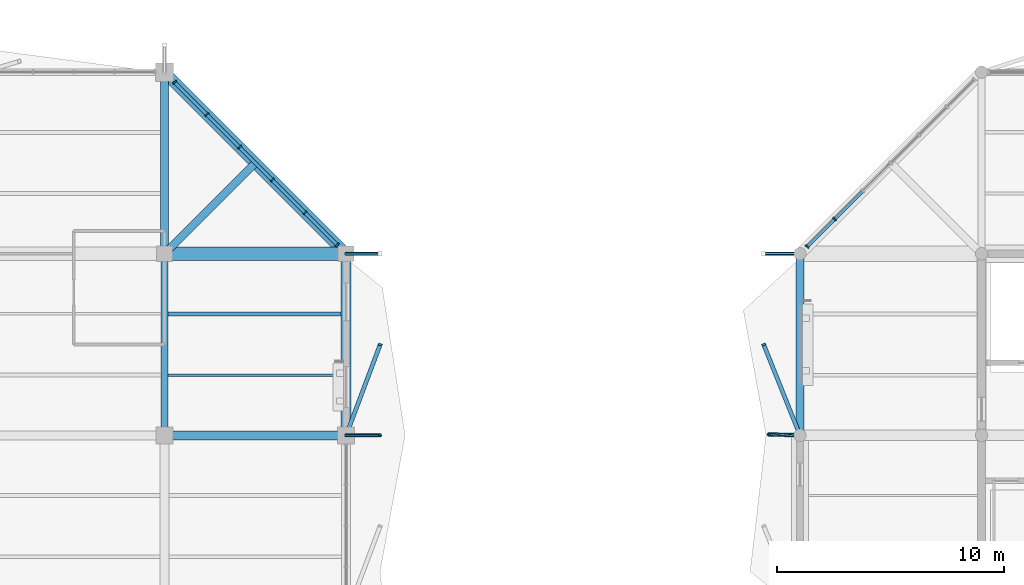
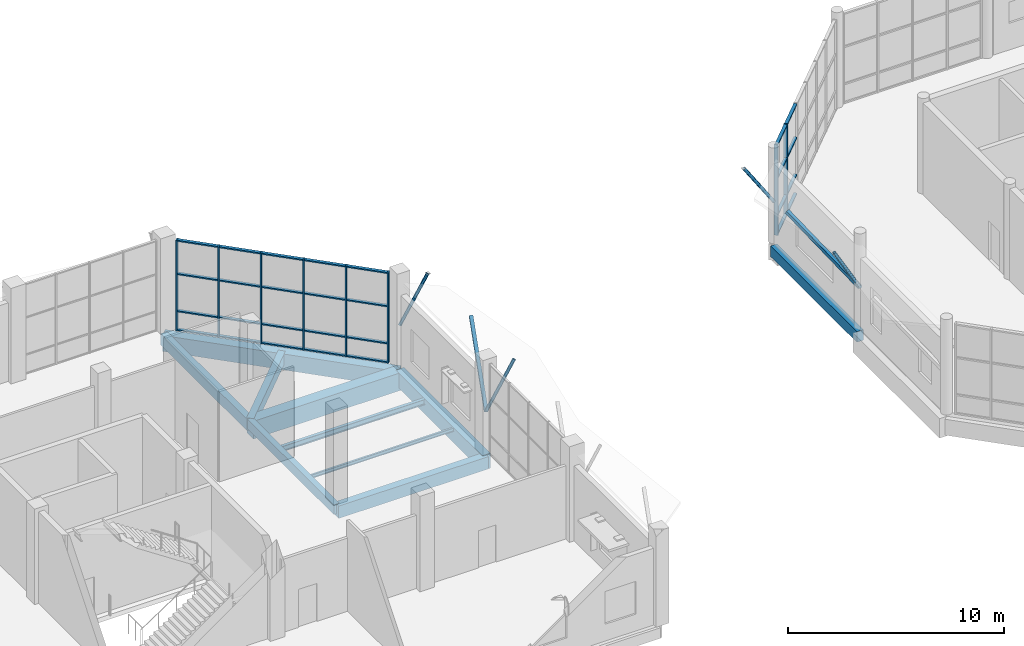
# One storey, part 46 of 122: 42 members, 10 beams, 2 elements without a shape of their own.
"""IFC4 building model written with IfcOpenShell, lengths in metres."""

from ifc_helpers import new_model, si_unit, direction, frame, origin, origin_2d, place, context, subcontext, project, spatial, rectangle, hollow_rectangle, hollow_circle, i_section, extrude, material, material_profile, profile_set, type_object, element, aggregate, save


model = new_model("IFC4")

# Units and contexts
model_context = context("Model", 3, precision=1e-05, world=origin(), true_north=direction((0.0, 1.0)))
body_context = subcontext(model_context, "Body", "Model", "MODEL_VIEW")
ifc_project = project(units=[si_unit("LENGTHUNIT", "METRE"), si_unit("AREAUNIT", "SQUARE_METRE"), si_unit("VOLUMEUNIT", "CUBIC_METRE"), si_unit("PLANEANGLEUNIT", "RADIAN"), si_unit("MASSUNIT", "GRAM", prefix="KILO")], contexts=[model_context])

# Site, building, storey
site_placement = place(None, origin())
site = spatial("IfcSite", under=ifc_project, at=site_placement, CompositionType="ELEMENT")
building_placement = place(site_placement, origin())
building = spatial("IfcBuilding", under=site, at=building_placement, Name="Tenunan Teduh Sports Hall", CompositionType="ELEMENT")
storey_placement = place(building_placement, frame((0.0, 0.0, 5.39990234375)))
storey = spatial("IfcBuildingStorey", under=building, at=storey_placement, Name="L01", CompositionType="ELEMENT", Elevation=5.39990234375)

# Beams
ifc_material_1 = material(Name="Concrete C40/50", Category="concrete")
ifc_material_profile_1 = material_profile(ifc_material_1, rectangle(XDim=0.300048828125, YDim=0.550048828125, at=origin_2d()), Name="RCB 300x550")
ifc_profile_set_1 = profile_set([ifc_material_profile_1], Name="Concrete C40/50")
beam_type_1 = type_object("IfcBeamType", Name="BM-RC-300x550", PredefinedType="BEAM", material=ifc_profile_set_1)
beam_1_placement = place(storey_placement, frame((70.0, 102.0, -0.534912109375), z_axis=(0.0, 1.0, 0.0), x_axis=(-1.0, 0.0, 0.0)))
element("IfcBeam", 1, at=beam_1_placement, inside=storey, type_object=beam_type_1, Name="BM-B-02-L01-1237", PredefinedType="BEAM", context=body_context, shape_type="SweptSolid", body=[
    extrude(rectangle(XDim=0.300048828125, YDim=0.550048828125, at=origin_2d()), origin(), (0.0, 0.0, 1.0), 8.0),
])
ifc_material_2 = material(Name="Concrete C40/50", Category="concrete")
ifc_material_profile_2 = material_profile(ifc_material_2, rectangle(XDim=0.35009765625, YDim=0.60009765625, at=origin_2d()), Name="RCB 350x600")
ifc_profile_set_2 = profile_set([ifc_material_profile_2], Name="Concrete C40/50")
beam_type_2 = type_object("IfcBeamType", Name="BM-RC-350x600", PredefinedType="BEAM", material=ifc_profile_set_2)
beam_2_placement = place(storey_placement, frame((98.0, 102.0, -0.559814453125), z_axis=(0.0, 1.0, 0.0), x_axis=(-1.0, 0.0, 0.0)))
element("IfcBeam", 2, at=beam_2_placement, inside=storey, type_object=beam_type_2, Name="BM-B-04-L01-1251", PredefinedType="BEAM", context=body_context, shape_type="SweptSolid", body=[
    extrude(rectangle(XDim=0.35009765625, YDim=0.60009765625, at=origin_2d()), origin(), (0.0, 0.0, 1.0), 8.0),
])
beam_3_placement = place(storey_placement, frame((70.0, 110.0, -0.559814453125), z_axis=(0.707106781187, 0.707106781187, 0.0), x_axis=(-0.707106781187, 0.707106781187, 0.0)))
element("IfcBeam", 3, at=beam_3_placement, inside=storey, type_object=beam_type_2, Name="BM-B-04-L01-2229", PredefinedType="BEAM", context=body_context, shape_type="SweptSolid", body=[
    extrude(rectangle(XDim=0.35009765625, YDim=0.60009765625, at=origin_2d()), origin(), (0.0, 0.0, 1.0), 5.65673828125),
])
ifc_material_3 = material(Name="Concrete C40/50", Category="concrete")
ifc_material_profile_3 = material_profile(ifc_material_3, rectangle(XDim=0.35009765625, YDim=0.64990234375, at=origin_2d()), Name="RCB 350x650")
ifc_profile_set_3 = profile_set([ifc_material_profile_3], Name="Concrete C40/50")
beam_type_3 = type_object("IfcBeamType", Name="BM-RC-350x650", PredefinedType="BEAM", material=ifc_profile_set_3)
beam_4_placement = place(storey_placement, frame((70.0, 110.0, -0.5849609375), z_axis=(0.0, 1.0, 0.0), x_axis=(-1.0, 0.0, 0.0)))
element("IfcBeam", 4, at=beam_4_placement, inside=storey, type_object=beam_type_3, Name="BM-B-05-L01-1238", PredefinedType="BEAM", context=body_context, shape_type="SweptSolid", body=[
    extrude(rectangle(XDim=0.35009765625, YDim=0.64990234375, at=origin_2d()), origin(), (0.0, 0.0, 1.0), 8.0),
])
ifc_material_4 = material(Name="Concrete C40/50", Category="concrete")
ifc_material_profile_4 = material_profile(ifc_material_4, rectangle(XDim=0.39990234375, YDim=0.699951171875, at=origin_2d()), Name="RCB 400x700")
ifc_profile_set_4 = profile_set([ifc_material_profile_4], Name="Concrete C40/50")
beam_type_4 = type_object("IfcBeamType", Name="BM-RC-400x700", PredefinedType="BEAM", material=ifc_profile_set_4)
beam_5_placement = place(storey_placement, frame((70.0, 102.0, -0.60986328125), z_axis=(1.0, 0.0, 0.0), x_axis=(0.0, 1.0, 0.0)))
element("IfcBeam", 5, at=beam_5_placement, inside=storey, type_object=beam_type_4, Name="BM-B-08-L01-1146", PredefinedType="BEAM", context=body_context, shape_type="SweptSolid", body=[
    extrude(rectangle(XDim=0.39990234375, YDim=0.699951171875, at=origin_2d()), origin(), (0.0, 0.0, 1.0), 8.0),
])
ifc_material_5 = material(Name="Concrete C40/50", Category="concrete")
ifc_material_profile_5 = material_profile(ifc_material_5, rectangle(XDim=0.449951171875, YDim=0.85009765625, at=origin_2d()), Name="RCB 450x850")
ifc_profile_set_5 = profile_set([ifc_material_profile_5], Name="Concrete C40/50")
beam_type_5 = type_object("IfcBeamType", Name="BM-RC-450x850", PredefinedType="BEAM", material=ifc_profile_set_5)
beam_6_placement = place(storey_placement, frame((78.0, 102.0, -0.684814453125), z_axis=(0.0, 1.0, 0.0), x_axis=(-1.0, 0.0, 0.0)))
element("IfcBeam", 6, at=beam_6_placement, inside=storey, type_object=beam_type_5, Name="BM-B-13-L01-1245", PredefinedType="BEAM", context=body_context, shape_type="SweptSolid", body=[
    extrude(rectangle(XDim=0.449951171875, YDim=0.85009765625, at=origin_2d()), origin(), (0.0, 0.0, 1.0), 8.0),
])
ifc_material_6 = material(Name="Concrete C40/50", Category="concrete")
ifc_material_profile_6 = material_profile(ifc_material_6, rectangle(XDim=0.5, YDim=0.89990234375, at=origin_2d()), Name="RCB 500x900")
ifc_profile_set_6 = profile_set([ifc_material_profile_6], Name="Concrete C40/50")
beam_type_6 = type_object("IfcBeamType", Name="BM-RC-500x900", PredefinedType="BEAM", material=ifc_profile_set_6)
beam_7_placement = place(storey_placement, frame((70.0, 118.0, -0.7099609375), z_axis=(0.707106781187, -0.707106781187, 0.0), x_axis=(0.707106781187, 0.707106781187, 0.0)))
element("IfcBeam", 7, at=beam_7_placement, inside=storey, type_object=beam_type_6, Name="BM-B-15-L01-0594", PredefinedType="BEAM", context=body_context, shape_type="SweptSolid", body=[
    extrude(rectangle(XDim=0.5, YDim=0.89990234375, at=origin_2d()), origin(), (0.0, 0.0, 1.0), 11.313720703125),
])
ifc_material_7 = material(Name="Concrete C40/50", Category="concrete")
ifc_material_profile_7 = material_profile(ifc_material_7, rectangle(XDim=0.60009765625, YDim=1.0, at=origin_2d()), Name="RCB 600x1000")
ifc_profile_set_7 = profile_set([ifc_material_profile_7], Name="Concrete C40/50")
beam_type_7 = type_object("IfcBeamType", Name="BM-RC-600x1000", PredefinedType="BEAM", material=ifc_profile_set_7)
beam_8_placement = place(storey_placement, frame((70.0, 110.0, -0.760009765625), z_axis=(1.0, 0.0, 0.0), x_axis=(0.0, 1.0, 0.0)))
element("IfcBeam", 8, at=beam_8_placement, inside=storey, type_object=beam_type_7, Name="BM-B-18-L01-1163", PredefinedType="BEAM", context=body_context, shape_type="SweptSolid", body=[
    extrude(rectangle(XDim=0.60009765625, YDim=1.0, at=origin_2d()), origin(), (0.0, 0.0, 1.0), 8.0),
])

# Curtain wall, members
ifc_material_8 = material(Name="Anodised aluminium", Category="aluminium")
curtain_wall_type = type_object("IfcCurtainWallType", Name="CW-UNIT-1", PredefinedType="NOTDEFINED", material=ifc_material_8)
curtain_wall_1_placement = place(storey_placement, origin())
curtain_wall_1 = element("IfcCurtainWall", 9, at=curtain_wall_1_placement, inside=storey, type_object=curtain_wall_type, Name="CW-CWM-200-L01-204", PredefinedType="NOTDEFINED")
ifc_material_9 = material(Name="Anodised aluminium", Category="aluminium")
ifc_material_profile_8 = material_profile(ifc_material_9, rectangle(XDim=0.070068359375, YDim=0.199951171875, at=origin_2d()), Name="CWM 70x200")
ifc_profile_set_8 = profile_set([ifc_material_profile_8], Name="Anodised aluminium")
member_type_1 = type_object("IfcMemberType", Name="CWM-200", PredefinedType="MULLION", material=ifc_profile_set_8)
member_1_placement = place(storey_placement, frame((77.607666015625, 110.392333984375, 0.0), z_axis=(0.0, 0.0, 1.0), x_axis=(-0.707106781187, 0.707106781187, 0.0)))
member_1 = element("IfcMember", 10, at=member_1_placement, type_object=member_type_1, Name="CW-01 mullion 1", PredefinedType="MULLION", context=body_context, shape_type="SweptSolid", body=[
    extrude(rectangle(XDim=0.070068359375, YDim=0.199951171875, at=origin_2d()), origin(), (0.0, 0.0, 1.0), 5.1201171875),
])
member_2_placement = place(storey_placement, frame((76.18994140625, 111.81005859375, 0.0), z_axis=(0.0, 0.0, 1.0), x_axis=(-0.707106781187, 0.707106781187, 0.0)))
member_2 = element("IfcMember", 11, at=member_2_placement, type_object=member_type_1, Name="CW-01 mullion 2", PredefinedType="MULLION", context=body_context, shape_type="SweptSolid", body=[
    extrude(rectangle(XDim=0.070068359375, YDim=0.199951171875, at=origin_2d()), origin(), (0.0, 0.0, 1.0), 5.1201171875),
])
member_3_placement = place(storey_placement, frame((74.74755859375, 113.25244140625, 0.0), z_axis=(0.0, 0.0, 1.0), x_axis=(-0.707106781187, 0.707106781187, 0.0)))
member_3 = element("IfcMember", 12, at=member_3_placement, type_object=member_type_1, Name="CW-01 mullion 3", PredefinedType="MULLION", context=body_context, shape_type="SweptSolid", body=[
    extrude(rectangle(XDim=0.070068359375, YDim=0.199951171875, at=origin_2d()), origin(), (0.0, 0.0, 1.0), 5.1201171875),
])
member_4_placement = place(storey_placement, frame((73.304931640625, 114.695068359375, 0.0), z_axis=(0.0, 0.0, 1.0), x_axis=(-0.707106781187, 0.707106781187, 0.0)))
member_4 = element("IfcMember", 13, at=member_4_placement, type_object=member_type_1, Name="CW-01 mullion 4", PredefinedType="MULLION", context=body_context, shape_type="SweptSolid", body=[
    extrude(rectangle(XDim=0.070068359375, YDim=0.199951171875, at=origin_2d()), origin(), (0.0, 0.0, 1.0), 5.1201171875),
])
member_5_placement = place(storey_placement, frame((71.862548828125, 116.137451171875, 0.0), z_axis=(0.0, 0.0, 1.0), x_axis=(-0.707106781187, 0.707106781187, 0.0)))
member_5 = element("IfcMember", 14, at=member_5_placement, type_object=member_type_1, Name="CW-01 mullion 5", PredefinedType="MULLION", context=body_context, shape_type="SweptSolid", body=[
    extrude(rectangle(XDim=0.070068359375, YDim=0.199951171875, at=origin_2d()), origin(), (0.0, 0.0, 1.0), 5.1201171875),
])
member_6_placement = place(storey_placement, frame((70.44482421875, 117.55517578125, 0.0), z_axis=(0.0, 0.0, 1.0), x_axis=(-0.707106781187, 0.707106781187, 0.0)))
member_6 = element("IfcMember", 15, at=member_6_placement, type_object=member_type_1, Name="CW-01 mullion 6", PredefinedType="MULLION", context=body_context, shape_type="SweptSolid", body=[
    extrude(rectangle(XDim=0.070068359375, YDim=0.199951171875, at=origin_2d()), origin(), (0.0, 0.0, 1.0), 5.1201171875),
])

curtain_wall_2_placement = place(storey_placement, origin())
curtain_wall_2 = element("IfcCurtainWall", 16, at=curtain_wall_2_placement, inside=storey, type_object=curtain_wall_type, Name="CW-CWM-200-L01-252", PredefinedType="NOTDEFINED")
member_7_placement = place(storey_placement, frame((98.3134765625, 110.3134765625, 0.0), z_axis=(0.0, 0.0, 1.0), x_axis=(0.707106781187, 0.707106781187, 0.0)))
member_7 = element("IfcMember", 17, at=member_7_placement, type_object=member_type_1, Name="CW-01 mullion 1", PredefinedType="MULLION", context=body_context, shape_type="SweptSolid", body=[
    extrude(rectangle(XDim=0.070068359375, YDim=0.199951171875, at=origin_2d()), origin(), (0.0, 0.0, 1.0), 5.1201171875),
])
member_8_placement = place(storey_placement, frame((99.52587890625, 111.52587890625, 0.0), z_axis=(0.0, 0.0, 1.0), x_axis=(0.707106781187, 0.707106781187, 0.0)))
member_8 = element("IfcMember", 18, at=member_8_placement, type_object=member_type_1, Name="CW-01 mullion 2", PredefinedType="MULLION", context=body_context, shape_type="SweptSolid", body=[
    extrude(rectangle(XDim=0.070068359375, YDim=0.199951171875, at=origin_2d()), origin(), (0.0, 0.0, 1.0), 5.1201171875),
])

# Member
ifc_material_10 = material(Name="Anodised aluminium", Category="aluminium")
ifc_material_profile_9 = material_profile(ifc_material_10, rectangle(XDim=0.070068359375, YDim=0.159912109375, at=origin_2d()), Name="CWT 70x160")
ifc_profile_set_9 = profile_set([ifc_material_profile_9], Name="Anodised aluminium")
member_type_2 = type_object("IfcMemberType", Name="CWT-200", PredefinedType="USERDEFINED", material=ifc_profile_set_9)
member_9_placement = place(storey_placement, frame((77.5830078125, 110.4169921875, 0.03515625), z_axis=(-0.707106781187, 0.707106781187, 0.0), x_axis=(0.0, 0.0, 1.0)))
member_9 = element("IfcMember", 19, at=member_9_placement, type_object=member_type_2, Name="CW-01 transom 1.1", ObjectType="TRANSOM", PredefinedType="USERDEFINED", context=body_context, shape_type="SweptSolid", body=[
    extrude(rectangle(XDim=0.070068359375, YDim=0.159912109375, at=origin_2d()), origin(), (0.0, 0.0, 1.0), 1.934814453125),
])

member_10_placement = place(storey_placement, frame((77.5830078125, 110.4169921875, 1.10009765625), z_axis=(-0.707106781187, 0.707106781187, 0.0), x_axis=(0.0, 0.0, 1.0)))
member_10 = element("IfcMember", 20, at=member_10_placement, type_object=member_type_2, Name="CW-01 transom 1.2", ObjectType="TRANSOM", PredefinedType="USERDEFINED", context=body_context, shape_type="SweptSolid", body=[
    extrude(rectangle(XDim=0.070068359375, YDim=0.159912109375, at=origin_2d()), origin(), (0.0, 0.0, 1.0), 1.934814453125),
])

member_11_placement = place(storey_placement, frame((77.5830078125, 110.4169921875, 3.2001953125), z_axis=(-0.707106781187, 0.707106781187, 0.0), x_axis=(0.0, 0.0, 1.0)))
member_11 = element("IfcMember", 21, at=member_11_placement, type_object=member_type_2, Name="CW-01 transom 1.3", ObjectType="TRANSOM", PredefinedType="USERDEFINED", context=body_context, shape_type="SweptSolid", body=[
    extrude(rectangle(XDim=0.070068359375, YDim=0.159912109375, at=origin_2d()), origin(), (0.0, 0.0, 1.0), 1.934814453125),
])

member_12_placement = place(storey_placement, frame((77.5830078125, 110.4169921875, 5.085205078125), z_axis=(-0.707106781187, 0.707106781187, 0.0), x_axis=(0.0, 0.0, 1.0)))
member_12 = element("IfcMember", 22, at=member_12_placement, type_object=member_type_2, Name="CW-01 transom 1.4", ObjectType="TRANSOM", PredefinedType="USERDEFINED", context=body_context, shape_type="SweptSolid", body=[
    extrude(rectangle(XDim=0.070068359375, YDim=0.159912109375, at=origin_2d()), origin(), (0.0, 0.0, 1.0), 1.934814453125),
])

member_13_placement = place(storey_placement, frame((76.165283203125, 111.834716796875, 0.03515625), z_axis=(-0.707106781187, 0.707106781187, 0.0), x_axis=(0.0, 0.0, 1.0)))
member_13 = element("IfcMember", 23, at=member_13_placement, type_object=member_type_2, Name="CW-01 transom 2.1", ObjectType="TRANSOM", PredefinedType="USERDEFINED", context=body_context, shape_type="SweptSolid", body=[
    extrude(rectangle(XDim=0.070068359375, YDim=0.159912109375, at=origin_2d()), origin(), (0.0, 0.0, 1.0), 1.97021484375),
])

member_14_placement = place(storey_placement, frame((76.165283203125, 111.834716796875, 1.10009765625), z_axis=(-0.707106781187, 0.707106781187, 0.0), x_axis=(0.0, 0.0, 1.0)))
member_14 = element("IfcMember", 24, at=member_14_placement, type_object=member_type_2, Name="CW-01 transom 2.2", ObjectType="TRANSOM", PredefinedType="USERDEFINED", context=body_context, shape_type="SweptSolid", body=[
    extrude(rectangle(XDim=0.070068359375, YDim=0.159912109375, at=origin_2d()), origin(), (0.0, 0.0, 1.0), 1.97021484375),
])

member_15_placement = place(storey_placement, frame((76.165283203125, 111.834716796875, 3.2001953125), z_axis=(-0.707106781187, 0.707106781187, 0.0), x_axis=(0.0, 0.0, 1.0)))
member_15 = element("IfcMember", 25, at=member_15_placement, type_object=member_type_2, Name="CW-01 transom 2.3", ObjectType="TRANSOM", PredefinedType="USERDEFINED", context=body_context, shape_type="SweptSolid", body=[
    extrude(rectangle(XDim=0.070068359375, YDim=0.159912109375, at=origin_2d()), origin(), (0.0, 0.0, 1.0), 1.97021484375),
])

member_16_placement = place(storey_placement, frame((76.165283203125, 111.834716796875, 5.085205078125), z_axis=(-0.707106781187, 0.707106781187, 0.0), x_axis=(0.0, 0.0, 1.0)))
member_16 = element("IfcMember", 26, at=member_16_placement, type_object=member_type_2, Name="CW-01 transom 2.4", ObjectType="TRANSOM", PredefinedType="USERDEFINED", context=body_context, shape_type="SweptSolid", body=[
    extrude(rectangle(XDim=0.070068359375, YDim=0.159912109375, at=origin_2d()), origin(), (0.0, 0.0, 1.0), 1.97021484375),
])

member_17_placement = place(storey_placement, frame((74.72265625, 113.27734375, 0.03515625), z_axis=(-0.707106781187, 0.707106781187, 0.0), x_axis=(0.0, 0.0, 1.0)))
member_17 = element("IfcMember", 27, at=member_17_placement, type_object=member_type_2, Name="CW-01 transom 3.1", ObjectType="TRANSOM", PredefinedType="USERDEFINED", context=body_context, shape_type="SweptSolid", body=[
    extrude(rectangle(XDim=0.070068359375, YDim=0.159912109375, at=origin_2d()), origin(), (0.0, 0.0, 1.0), 1.9697265625),
])

member_18_placement = place(storey_placement, frame((74.72265625, 113.27734375, 1.10009765625), z_axis=(-0.707106781187, 0.707106781187, 0.0), x_axis=(0.0, 0.0, 1.0)))
member_18 = element("IfcMember", 28, at=member_18_placement, type_object=member_type_2, Name="CW-01 transom 3.2", ObjectType="TRANSOM", PredefinedType="USERDEFINED", context=body_context, shape_type="SweptSolid", body=[
    extrude(rectangle(XDim=0.070068359375, YDim=0.159912109375, at=origin_2d()), origin(), (0.0, 0.0, 1.0), 1.9697265625),
])

member_19_placement = place(storey_placement, frame((74.72265625, 113.27734375, 3.2001953125), z_axis=(-0.707106781187, 0.707106781187, 0.0), x_axis=(0.0, 0.0, 1.0)))
member_19 = element("IfcMember", 29, at=member_19_placement, type_object=member_type_2, Name="CW-01 transom 3.3", ObjectType="TRANSOM", PredefinedType="USERDEFINED", context=body_context, shape_type="SweptSolid", body=[
    extrude(rectangle(XDim=0.070068359375, YDim=0.159912109375, at=origin_2d()), origin(), (0.0, 0.0, 1.0), 1.9697265625),
])

member_20_placement = place(storey_placement, frame((74.72265625, 113.27734375, 5.085205078125), z_axis=(-0.707106781187, 0.707106781187, 0.0), x_axis=(0.0, 0.0, 1.0)))
member_20 = element("IfcMember", 30, at=member_20_placement, type_object=member_type_2, Name="CW-01 transom 3.4", ObjectType="TRANSOM", PredefinedType="USERDEFINED", context=body_context, shape_type="SweptSolid", body=[
    extrude(rectangle(XDim=0.070068359375, YDim=0.159912109375, at=origin_2d()), origin(), (0.0, 0.0, 1.0), 1.9697265625),
])

member_21_placement = place(storey_placement, frame((73.2802734375, 114.7197265625, 0.03515625), z_axis=(-0.707106781187, 0.707106781187, 0.0), x_axis=(0.0, 0.0, 1.0)))
member_21 = element("IfcMember", 31, at=member_21_placement, type_object=member_type_2, Name="CW-01 transom 4.1", ObjectType="TRANSOM", PredefinedType="USERDEFINED", context=body_context, shape_type="SweptSolid", body=[
    extrude(rectangle(XDim=0.070068359375, YDim=0.159912109375, at=origin_2d()), origin(), (0.0, 0.0, 1.0), 1.97021484375),
])

member_22_placement = place(storey_placement, frame((73.2802734375, 114.7197265625, 1.10009765625), z_axis=(-0.707106781187, 0.707106781187, 0.0), x_axis=(0.0, 0.0, 1.0)))
member_22 = element("IfcMember", 32, at=member_22_placement, type_object=member_type_2, Name="CW-01 transom 4.2", ObjectType="TRANSOM", PredefinedType="USERDEFINED", context=body_context, shape_type="SweptSolid", body=[
    extrude(rectangle(XDim=0.070068359375, YDim=0.159912109375, at=origin_2d()), origin(), (0.0, 0.0, 1.0), 1.97021484375),
])

member_23_placement = place(storey_placement, frame((73.2802734375, 114.7197265625, 3.2001953125), z_axis=(-0.707106781187, 0.707106781187, 0.0), x_axis=(0.0, 0.0, 1.0)))
member_23 = element("IfcMember", 33, at=member_23_placement, type_object=member_type_2, Name="CW-01 transom 4.3", ObjectType="TRANSOM", PredefinedType="USERDEFINED", context=body_context, shape_type="SweptSolid", body=[
    extrude(rectangle(XDim=0.070068359375, YDim=0.159912109375, at=origin_2d()), origin(), (0.0, 0.0, 1.0), 1.97021484375),
])

member_24_placement = place(storey_placement, frame((73.2802734375, 114.7197265625, 5.085205078125), z_axis=(-0.707106781187, 0.707106781187, 0.0), x_axis=(0.0, 0.0, 1.0)))
member_24 = element("IfcMember", 34, at=member_24_placement, type_object=member_type_2, Name="CW-01 transom 4.4", ObjectType="TRANSOM", PredefinedType="USERDEFINED", context=body_context, shape_type="SweptSolid", body=[
    extrude(rectangle(XDim=0.070068359375, YDim=0.159912109375, at=origin_2d()), origin(), (0.0, 0.0, 1.0), 1.97021484375),
])

member_25_placement = place(storey_placement, frame((71.837646484375, 116.162353515625, 0.03515625), z_axis=(-0.707106781187, 0.707106781187, 0.0), x_axis=(0.0, 0.0, 1.0)))
member_25 = element("IfcMember", 35, at=member_25_placement, type_object=member_type_2, Name="CW-01 transom 5.1", ObjectType="TRANSOM", PredefinedType="USERDEFINED", context=body_context, shape_type="SweptSolid", body=[
    extrude(rectangle(XDim=0.070068359375, YDim=0.159912109375, at=origin_2d()), origin(), (0.0, 0.0, 1.0), 1.934814453125),
])

member_26_placement = place(storey_placement, frame((71.837646484375, 116.162353515625, 1.10009765625), z_axis=(-0.707106781187, 0.707106781187, 0.0), x_axis=(0.0, 0.0, 1.0)))
member_26 = element("IfcMember", 36, at=member_26_placement, type_object=member_type_2, Name="CW-01 transom 5.2", ObjectType="TRANSOM", PredefinedType="USERDEFINED", context=body_context, shape_type="SweptSolid", body=[
    extrude(rectangle(XDim=0.070068359375, YDim=0.159912109375, at=origin_2d()), origin(), (0.0, 0.0, 1.0), 1.934814453125),
])

member_27_placement = place(storey_placement, frame((71.837646484375, 116.162353515625, 3.2001953125), z_axis=(-0.707106781187, 0.707106781187, 0.0), x_axis=(0.0, 0.0, 1.0)))
member_27 = element("IfcMember", 37, at=member_27_placement, type_object=member_type_2, Name="CW-01 transom 5.3", ObjectType="TRANSOM", PredefinedType="USERDEFINED", context=body_context, shape_type="SweptSolid", body=[
    extrude(rectangle(XDim=0.070068359375, YDim=0.159912109375, at=origin_2d()), origin(), (0.0, 0.0, 1.0), 1.934814453125),
])

member_28_placement = place(storey_placement, frame((71.837646484375, 116.162353515625, 5.085205078125), z_axis=(-0.707106781187, 0.707106781187, 0.0), x_axis=(0.0, 0.0, 1.0)))
member_28 = element("IfcMember", 38, at=member_28_placement, type_object=member_type_2, Name="CW-01 transom 5.4", ObjectType="TRANSOM", PredefinedType="USERDEFINED", context=body_context, shape_type="SweptSolid", body=[
    extrude(rectangle(XDim=0.070068359375, YDim=0.159912109375, at=origin_2d()), origin(), (0.0, 0.0, 1.0), 1.934814453125),
])

aggregate(curtain_wall_1, [member_1, member_2, member_3, member_4, member_5, member_6, member_9, member_10, member_11, member_12, member_13, member_14, member_15, member_16, member_17, member_18, member_19, member_20, member_21, member_22, member_23, member_24, member_25, member_26, member_27, member_28])

member_29_placement = place(storey_placement, frame((98.338134765625, 110.338134765625, 0.03515625), z_axis=(0.707106781187, 0.707106781187, 0.0), x_axis=(0.0, 0.0, 1.0)))
member_29 = element("IfcMember", 39, at=member_29_placement, type_object=member_type_2, Name="CW-01 transom 1.1", ObjectType="TRANSOM", PredefinedType="USERDEFINED", context=body_context, shape_type="SweptSolid", body=[
    extrude(rectangle(XDim=0.070068359375, YDim=0.159912109375, at=origin_2d()), origin(), (0.0, 0.0, 1.0), 1.64453125),
])

member_30_placement = place(storey_placement, frame((98.338134765625, 110.338134765625, 1.10009765625), z_axis=(0.707106781187, 0.707106781187, 0.0), x_axis=(0.0, 0.0, 1.0)))
member_30 = element("IfcMember", 40, at=member_30_placement, type_object=member_type_2, Name="CW-01 transom 1.2", ObjectType="TRANSOM", PredefinedType="USERDEFINED", context=body_context, shape_type="SweptSolid", body=[
    extrude(rectangle(XDim=0.070068359375, YDim=0.159912109375, at=origin_2d()), origin(), (0.0, 0.0, 1.0), 1.64453125),
])

member_31_placement = place(storey_placement, frame((98.338134765625, 110.338134765625, 3.2001953125), z_axis=(0.707106781187, 0.707106781187, 0.0), x_axis=(0.0, 0.0, 1.0)))
member_31 = element("IfcMember", 41, at=member_31_placement, type_object=member_type_2, Name="CW-01 transom 1.3", ObjectType="TRANSOM", PredefinedType="USERDEFINED", context=body_context, shape_type="SweptSolid", body=[
    extrude(rectangle(XDim=0.070068359375, YDim=0.159912109375, at=origin_2d()), origin(), (0.0, 0.0, 1.0), 1.64453125),
])

member_32_placement = place(storey_placement, frame((98.338134765625, 110.338134765625, 5.085205078125), z_axis=(0.707106781187, 0.707106781187, 0.0), x_axis=(0.0, 0.0, 1.0)))
member_32 = element("IfcMember", 42, at=member_32_placement, type_object=member_type_2, Name="CW-01 transom 1.4", ObjectType="TRANSOM", PredefinedType="USERDEFINED", context=body_context, shape_type="SweptSolid", body=[
    extrude(rectangle(XDim=0.070068359375, YDim=0.159912109375, at=origin_2d()), origin(), (0.0, 0.0, 1.0), 1.64453125),
])

member_33_placement = place(storey_placement, frame((99.550537109375, 111.550537109375, 0.03515625), z_axis=(0.707106781187, 0.707106781187, 0.0), x_axis=(0.0, 0.0, 1.0)))
member_33 = element("IfcMember", 43, at=member_33_placement, type_object=member_type_2, Name="CW-01 transom 2.1", ObjectType="TRANSOM", PredefinedType="USERDEFINED", context=body_context, shape_type="SweptSolid", body=[
    extrude(rectangle(XDim=0.070068359375, YDim=0.159912109375, at=origin_2d()), origin(), (0.0, 0.0, 1.0), 1.679443359375),
])

member_34_placement = place(storey_placement, frame((99.550537109375, 111.550537109375, 1.10009765625), z_axis=(0.707106781187, 0.707106781187, 0.0), x_axis=(0.0, 0.0, 1.0)))
member_34 = element("IfcMember", 44, at=member_34_placement, type_object=member_type_2, Name="CW-01 transom 2.2", ObjectType="TRANSOM", PredefinedType="USERDEFINED", context=body_context, shape_type="SweptSolid", body=[
    extrude(rectangle(XDim=0.070068359375, YDim=0.159912109375, at=origin_2d()), origin(), (0.0, 0.0, 1.0), 1.679443359375),
])

member_35_placement = place(storey_placement, frame((99.550537109375, 111.550537109375, 3.2001953125), z_axis=(0.707106781187, 0.707106781187, 0.0), x_axis=(0.0, 0.0, 1.0)))
member_35 = element("IfcMember", 45, at=member_35_placement, type_object=member_type_2, Name="CW-01 transom 2.3", ObjectType="TRANSOM", PredefinedType="USERDEFINED", context=body_context, shape_type="SweptSolid", body=[
    extrude(rectangle(XDim=0.070068359375, YDim=0.159912109375, at=origin_2d()), origin(), (0.0, 0.0, 1.0), 1.679443359375),
])

member_36_placement = place(storey_placement, frame((99.550537109375, 111.550537109375, 5.085205078125), z_axis=(0.707106781187, 0.707106781187, 0.0), x_axis=(0.0, 0.0, 1.0)))
member_36 = element("IfcMember", 46, at=member_36_placement, type_object=member_type_2, Name="CW-01 transom 2.4", ObjectType="TRANSOM", PredefinedType="USERDEFINED", context=body_context, shape_type="SweptSolid", body=[
    extrude(rectangle(XDim=0.070068359375, YDim=0.159912109375, at=origin_2d()), origin(), (0.0, 0.0, 1.0), 1.679443359375),
])

aggregate(curtain_wall_2, [member_7, member_8, member_29, member_30, member_31, member_32, member_33, member_34, member_35, member_36])

# Beam
ifc_material_11 = material(Name="Steel S355", Category="steel")
ifc_material_profile_10 = material_profile(ifc_material_11, i_section(OverallWidth=0.10009765625, OverallDepth=0.199951171875, WebThickness=0.005615234375, FlangeThickness=0.008544921875, FilletRadius=0.011962890625, at=origin_2d()), Name="IPE 200")
ifc_profile_set_10 = profile_set([ifc_material_profile_10], Name="Steel S355")
beam_type_8 = type_object("IfcBeamType", Name="JST-IPE200", PredefinedType="JOIST", material=ifc_profile_set_10)
beam_9_placement = place(storey_placement, frame((70.14990234375, 104.64990234375, -0.35986328125), z_axis=(1.0, 0.0, 0.0), x_axis=(0.0, 1.0, 0.0)))
element("IfcBeam", 47, at=beam_9_placement, inside=storey, type_object=beam_type_8, Name="BM-J-01-L01-1380", PredefinedType="JOIST", context=body_context, shape_type="SweptSolid", body=[
    extrude(i_section(OverallWidth=0.10009765625, OverallDepth=0.199951171875, WebThickness=0.005615234375, FlangeThickness=0.008544921875, FilletRadius=0.011962890625, at=origin_2d()), origin(), (0.0, 0.0, 1.0), 7.625),
])

# Members
ifc_material_12 = material(Name="Steel S355", Category="steel")
ifc_material_profile_11 = material_profile(ifc_material_12, hollow_circle(Radius=0.084228515625, WallThickness=0.008056640625, at=origin_2d()), Name="CHS 168.3x8.0")
ifc_profile_set_11 = profile_set([ifc_material_profile_11], Name="Steel S355")
member_type_3 = type_object("IfcMemberType", Name="MEM-BR-CHS168", PredefinedType="BRACE", material=ifc_profile_set_11)
for number, where, z_axis, x_axis, name in (
    (48, (78.0, 102.0, 2.2001953125), (0.526850471667, 0.0, 0.849957987494), (0.0, 1.0, 0.0), "MEM-GD-04-L01-1209"),
    (49, (78.0, 110.0, 2.2001953125), (0.526850471667, 0.0, 0.849957987494), (0.0, 1.0, 0.0), "MEM-GD-04-L01-1211"),
):
    element("IfcMember", number, at=place(storey_placement, frame(where, z_axis=z_axis, x_axis=x_axis)), inside=storey, type_object=member_type_3, Name=name, PredefinedType="BRACE", context=body_context, shape_type="SweptSolid", body=[
        extrude(hollow_circle(Radius=0.084228515625, WallThickness=0.008056640625, at=origin_2d()), origin(), (0.0, 0.0, 1.0), 2.84716796875),
    ])
member_37_placement = place(storey_placement, frame((98.0, 102.0, 2.2001953125), z_axis=(-0.494034133264, 0.014734197477, 0.869317651147), x_axis=(-0.029810994673, -0.999555553532, 0.0)))
element("IfcMember", 50, at=member_37_placement, inside=storey, type_object=member_type_3, Name="MEM-GD-04-L01-1237", PredefinedType="BRACE", context=body_context, shape_type="SweptSolid", body=[
    extrude(hollow_circle(Radius=0.084228515625, WallThickness=0.008056640625, at=origin_2d()), origin(), (0.0, 0.0, 1.0), 2.78369140625),
])
member_38_placement = place(storey_placement, frame((98.0, 110.0, 2.2001953125), z_axis=(-0.551550138516, 0.0, 0.834141741374), x_axis=(0.0, -1.0, 0.0)))
element("IfcMember", 51, at=member_38_placement, inside=storey, type_object=member_type_3, Name="MEM-GD-04-L01-1239", PredefinedType="BRACE", context=body_context, shape_type="SweptSolid", body=[
    extrude(hollow_circle(Radius=0.084228515625, WallThickness=0.008056640625, at=origin_2d()), origin(), (0.0, 0.0, 1.0), 2.901123046875),
])
ifc_material_13 = material(Name="Steel S355", Category="steel")
ifc_material_profile_12 = material_profile(ifc_material_13, hollow_rectangle(XDim=0.179931640625, YDim=0.179931640625, WallThickness=0.010009765625, at=origin_2d()), Name="SHS 180x180x10.0")
ifc_profile_set_12 = profile_set([ifc_material_profile_12], Name="Steel S355")
member_type_4 = type_object("IfcMemberType", Name="MEM-ST-SHS180", PredefinedType="STRUT", material=ifc_profile_set_12)
member_39_placement = place(storey_placement, frame((78.0, 102.0, 2.2001953125), z_axis=(0.305512149532, 0.814699065418, 0.492877022487), x_axis=(-0.936329177569, 0.351123441588, 0.0)))
element("IfcMember", 52, at=member_39_placement, inside=storey, type_object=member_type_4, Name="MEM-VS-03-L01-1210", PredefinedType="STRUT", context=body_context, shape_type="SweptSolid", body=[
    extrude(hollow_rectangle(XDim=0.179931640625, YDim=0.179931640625, WallThickness=0.010009765625, at=origin_2d()), origin(), (0.0, 0.0, 1.0), 4.90966796875),
])
member_40_placement = place(storey_placement, frame((98.0, 102.0, 2.2001953125), z_axis=(-0.323821930097, 0.809505416952, 0.489734966603), x_axis=(-0.928468874232, -0.37141021739, 0.0)))
element("IfcMember", 53, at=member_40_placement, inside=storey, type_object=member_type_4, Name="MEM-VS-03-L01-1238", PredefinedType="STRUT", context=body_context, shape_type="SweptSolid", body=[
    extrude(hollow_rectangle(XDim=0.179931640625, YDim=0.179931640625, WallThickness=0.010009765625, at=origin_2d()), origin(), (0.0, 0.0, 1.0), 4.94140625),
])

# Beam
ifc_material_14 = material(Name="Steel S355", Category="steel")
ifc_material_profile_13 = material_profile(ifc_material_14, i_section(OverallWidth=0.1650390625, OverallDepth=0.303466796875, WebThickness=0.006103515625, FlangeThickness=0.01025390625, FilletRadius=0.0087890625, at=origin_2d()), Name="UKB 305x165x40")
ifc_profile_set_13 = profile_set([ifc_material_profile_13], Name="Steel S355")
beam_type_9 = type_object("IfcBeamType", Name="SBM-UKB305", PredefinedType="BEAM", material=ifc_profile_set_13)
beam_10_placement = place(storey_placement, frame((70.14990234375, 107.35009765625, -0.41162109375), z_axis=(1.0, 0.0, 0.0), x_axis=(0.0, 1.0, 0.0)))
element("IfcBeam", 54, at=beam_10_placement, inside=storey, type_object=beam_type_9, Name="BM-SB-01-L01-1381", PredefinedType="BEAM", context=body_context, shape_type="SweptSolid", body=[
    extrude(i_section(OverallWidth=0.1650390625, OverallDepth=0.303466796875, WebThickness=0.006103515625, FlangeThickness=0.01025390625, FilletRadius=0.0087890625, at=origin_2d()), origin(), (0.0, 0.0, 1.0), 7.625),
])

save(model, "model.ifc")
